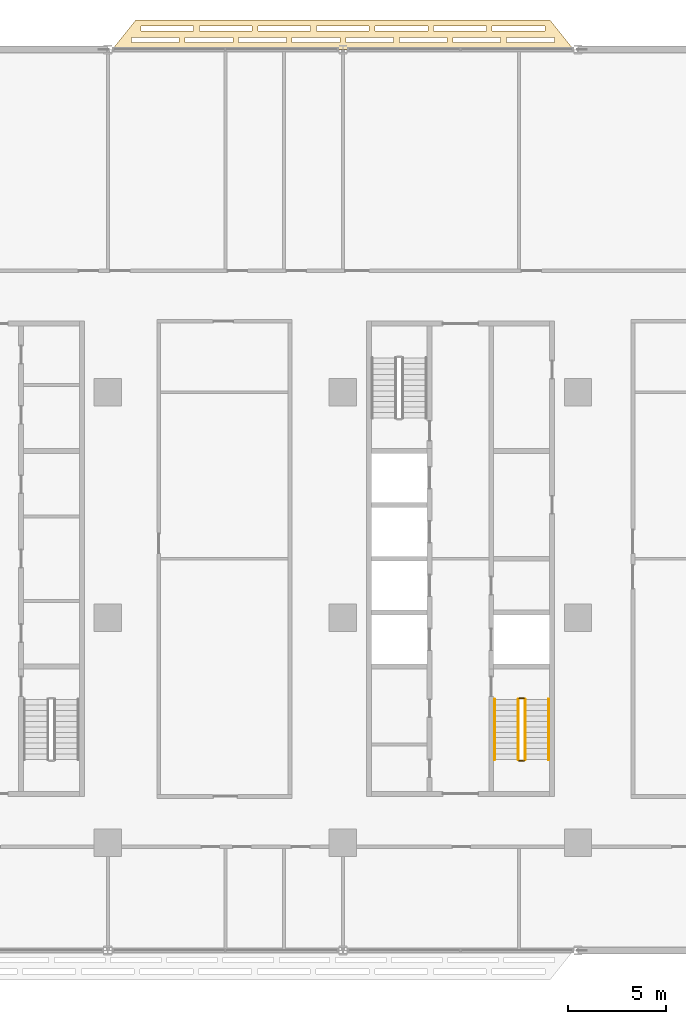
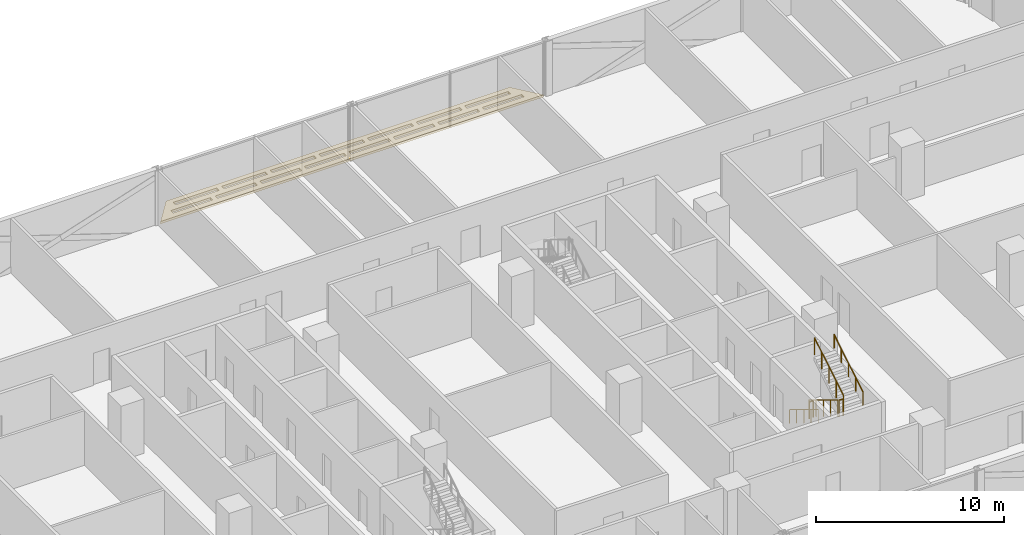
# One storey, part 28 of 29: 6 railings, 1 covering.
"""IFC4 building model written with IfcOpenShell, lengths in metres."""

from ifc_helpers import new_model, si_unit, direction, frame, origin, origin_2d, place, context, subcontext, project, spatial, polyline, circle, outline, extrude, material, layer, layer_set, type_object, element, save


model = new_model("IFC4")

# Units and contexts
model_context = context("Model", 3, precision=1e-05, world=origin(), true_north=direction((0.0, 1.0)))
body_context = subcontext(model_context, "Body", "Model", "MODEL_VIEW")
ifc_project = project(units=[si_unit("LENGTHUNIT", "METRE"), si_unit("AREAUNIT", "SQUARE_METRE"), si_unit("VOLUMEUNIT", "CUBIC_METRE"), si_unit("PLANEANGLEUNIT", "RADIAN"), si_unit("MASSUNIT", "GRAM", prefix="KILO")], contexts=[model_context])

# Site, building, storey
site_placement = place(None, origin())
site = spatial("IfcSite", under=ifc_project, at=site_placement, CompositionType="ELEMENT")
building_placement = place(site_placement, origin())
building = spatial("IfcBuilding", under=site, at=building_placement, Name="Mahtab Terrace Research Tower", CompositionType="ELEMENT")
storey_placement = place(building_placement, frame((0.0, 0.0, 113.5)))
storey = spatial("IfcBuildingStorey", under=building, at=storey_placement, Name="L26", CompositionType="ELEMENT", Elevation=113.5)

# Covering
ifc_material_1 = material(Name="Black anodised aluminium", Category="aluminium")
ifc_layer = layer(ifc_material_1, 0.14990234375)
ifc_layer_set = layer_set([ifc_layer], Name="Horizontal sunshade band")
covering_type = type_object("IfcCoveringType", Name="Horizontal sunshade band", PredefinedType="CLADDING", material=ifc_layer_set)
covering_placement = place(storey_placement, frame((0.0, 0.0, -0.14990234375)))
element("IfcCovering", 1, at=covering_placement, inside=storey, type_object=covering_type, Name="Sunshade band L26 5", PredefinedType="CLADDING", context=body_context, shape_type="SweptSolid", body=[
    extrude(outline(polyline([(29.77197265625, 29.0), (6.22802734375, 29.0), (7.427978515625, 30.5), (28.572021484375, 30.5), (29.77197265625, 29.0)]), holes=[polyline([(28.7919921875, 29.35009765625), (26.35595703125, 29.35009765625), (26.35595703125, 29.60009765625), (28.7919921875, 29.60009765625), (28.7919921875, 29.35009765625)]), polyline([(26.055908203125, 29.35009765625), (23.62109375, 29.35009765625), (23.62109375, 29.60009765625), (26.055908203125, 29.60009765625), (26.055908203125, 29.35009765625)]), polyline([(23.321044921875, 29.35009765625), (20.885009765625, 29.35009765625), (20.885009765625, 29.60009765625), (23.321044921875, 29.60009765625), (23.321044921875, 29.35009765625)]), polyline([(20.5849609375, 29.35009765625), (18.14990234375, 29.35009765625), (18.14990234375, 29.60009765625), (20.5849609375, 29.60009765625), (20.5849609375, 29.35009765625)]), polyline([(17.85009765625, 29.35009765625), (15.4150390625, 29.35009765625), (15.4150390625, 29.60009765625), (17.85009765625, 29.60009765625), (17.85009765625, 29.35009765625)]), polyline([(15.114013671875, 29.35009765625), (12.678955078125, 29.35009765625), (12.678955078125, 29.60009765625), (15.114013671875, 29.60009765625), (15.114013671875, 29.35009765625)]), polyline([(12.37890625, 29.35009765625), (9.944091796875, 29.35009765625), (9.944091796875, 29.60009765625), (12.37890625, 29.60009765625), (12.37890625, 29.35009765625)]), polyline([(9.64404296875, 29.35009765625), (7.2080078125, 29.35009765625), (7.2080078125, 29.60009765625), (9.64404296875, 29.60009765625), (9.64404296875, 29.35009765625)]), polyline([(28.31201171875, 29.949951171875), (25.623046875, 29.949951171875), (25.623046875, 30.199951171875), (28.31201171875, 30.199951171875), (28.31201171875, 29.949951171875)]), polyline([(25.322998046875, 29.949951171875), (22.634033203125, 29.949951171875), (22.634033203125, 30.199951171875), (25.322998046875, 30.199951171875), (25.322998046875, 29.949951171875)]), polyline([(22.333984375, 29.949951171875), (19.64501953125, 29.949951171875), (19.64501953125, 30.199951171875), (22.333984375, 30.199951171875), (22.333984375, 29.949951171875)]), polyline([(19.344970703125, 29.949951171875), (16.655029296875, 29.949951171875), (16.655029296875, 30.199951171875), (19.344970703125, 30.199951171875), (19.344970703125, 29.949951171875)]), polyline([(16.35498046875, 29.949951171875), (13.666015625, 29.949951171875), (13.666015625, 30.199951171875), (16.35498046875, 30.199951171875), (16.35498046875, 29.949951171875)]), polyline([(13.365966796875, 29.949951171875), (10.677001953125, 29.949951171875), (10.677001953125, 30.199951171875), (13.365966796875, 30.199951171875), (13.365966796875, 29.949951171875)]), polyline([(10.376953125, 29.949951171875), (7.68798828125, 29.949951171875), (7.68798828125, 30.199951171875), (10.376953125, 30.199951171875), (10.376953125, 29.949951171875)])]), origin(), (0.0, 0.0, 1.0), 0.14990234375),
])

# Railings
ifc_material_2 = material(Name="Stainless steel AISI 304", Category="steel")
railing_type_1 = type_object("IfcRailingType", Name="Stair guard 1100", PredefinedType="GUARDRAIL", material=ifc_material_2)
railing_1_placement = place(storey_placement, frame((26.949951171875, -4.175048828125, 0.1708984375)))
element("IfcRailing", 2, at=railing_1_placement, inside=storey, type_object=railing_type_1, Name="L26 ST4 stair guard 1", PredefinedType="GUARDRAIL", context=body_context, shape_type="SweptSolid", body=[
    extrude(circle(Radius=0.02392578125, at=origin_2d()), frame((0.0, 0.0, 1.076171875), z_axis=(0.0, -0.853647949592, 0.520850437417), x_axis=(1.0, 0.0, 0.0)), (0.0, 0.0, 1.0), 3.60791015625),
    extrude(circle(Radius=0.02099609375, at=origin_2d()), origin(), (0.0, 0.0, 1.0), 1.052001953125),
    extrude(circle(Radius=0.02099609375, at=origin_2d()), frame((0.0, -0.77001953125, 0.4697265625)), (0.0, 0.0, 1.0), 1.052001953125),
    extrude(circle(Radius=0.02099609375, at=origin_2d()), frame((0.0, -1.5400390625, 0.939453125)), (0.0, 0.0, 1.0), 1.052001953125),
    extrude(circle(Radius=0.02099609375, at=origin_2d()), frame((0.0, -2.309814453125, 1.409423828125)), (0.0, 0.0, 1.0), 1.052001953125),
    extrude(circle(Radius=0.02099609375, at=origin_2d()), frame((0.0, -3.079833984375, 1.879150390625)), (0.0, 0.0, 1.0), 1.052001953125),
])
railing_2_placement = place(storey_placement, frame((27.0, -7.304931640625, 2.050048828125)))
element("IfcRailing", 3, at=railing_2_placement, inside=storey, type_object=railing_type_1, Name="L26 ST4 stair guard 2", PredefinedType="GUARDRAIL", context=body_context, shape_type="SweptSolid", body=[
    extrude(circle(Radius=0.02392578125, at=origin_2d()), frame((0.0, 0.0, 1.076171875), z_axis=(1.0, 0.0, 0.0), x_axis=(0.0, 1.0, 0.0)), (0.0, 0.0, 1.0), 0.25),
    extrude(circle(Radius=0.02099609375, at=origin_2d()), origin(), (0.0, 0.0, 1.0), 1.052001953125),
    extrude(circle(Radius=0.02099609375, at=origin_2d()), frame((0.25, 0.0, 0.0)), (0.0, 0.0, 1.0), 1.052001953125),
])
railing_3_placement = place(storey_placement, frame((27.300048828125, -7.2548828125, 2.220947265625)))
element("IfcRailing", 4, at=railing_3_placement, inside=storey, type_object=railing_type_1, Name="L26 ST4 stair guard 3", PredefinedType="GUARDRAIL", context=body_context, shape_type="SweptSolid", body=[
    extrude(circle(Radius=0.02392578125, at=origin_2d()), frame((0.0, 0.0, 1.076171875), z_axis=(0.0, 0.853647949592, 0.520850437417), x_axis=(-1.0, 0.0, 0.0)), (0.0, 0.0, 1.0), 3.60791015625),
    extrude(circle(Radius=0.02099609375, at=origin_2d()), origin(), (0.0, 0.0, 1.0), 1.052001953125),
    extrude(circle(Radius=0.02099609375, at=origin_2d()), frame((0.0, 0.77001953125, 0.4697265625)), (0.0, 0.0, 1.0), 1.052001953125),
    extrude(circle(Radius=0.02099609375, at=origin_2d()), frame((0.0, 1.5400390625, 0.939453125)), (0.0, 0.0, 1.0), 1.052001953125),
    extrude(circle(Radius=0.02099609375, at=origin_2d()), frame((0.0, 2.309814453125, 1.409423828125)), (0.0, 0.0, 1.0), 1.052001953125),
    extrude(circle(Radius=0.02099609375, at=origin_2d()), frame((0.0, 3.079833984375, 1.879150390625)), (0.0, 0.0, 1.0), 1.052001953125),
])
railing_4_placement = place(storey_placement, frame((27.0, -4.125, 0.0)))
element("IfcRailing", 5, at=railing_4_placement, inside=storey, type_object=railing_type_1, Name="L26 ST4 stair guard 4", PredefinedType="GUARDRAIL", context=body_context, shape_type="SweptSolid", body=[
    extrude(circle(Radius=0.02392578125, at=origin_2d()), frame((0.0, 0.0, 1.076171875), z_axis=(1.0, 0.0, 0.0), x_axis=(0.0, 1.0, 0.0)), (0.0, 0.0, 1.0), 0.25),
    extrude(circle(Radius=0.02099609375, at=origin_2d()), origin(), (0.0, 0.0, 1.0), 1.052001953125),
    extrude(circle(Radius=0.02099609375, at=origin_2d()), frame((0.25, 0.0, 0.0)), (0.0, 0.0, 1.0), 1.052001953125),
])
railing_type_2 = type_object("IfcRailingType", Name="Stair handrail 900", PredefinedType="HANDRAIL", material=ifc_material_2)
railing_5_placement = place(storey_placement, frame((25.75, -4.175048828125, 0.1708984375)))
element("IfcRailing", 6, at=railing_5_placement, inside=storey, type_object=railing_type_2, Name="L26 ST4 stair handrail 1", PredefinedType="HANDRAIL", context=body_context, shape_type="SweptSolid", body=[
    extrude(circle(Radius=0.02392578125, at=origin_2d()), frame((0.0, 0.0, 0.8759765625), z_axis=(0.0, -0.853647949592, 0.520850437417), x_axis=(1.0, 0.0, 0.0)), (0.0, 0.0, 1.0), 3.60791015625),
    extrude(circle(Radius=0.02099609375, at=origin_2d()), origin(), (0.0, 0.0, 1.0), 0.851806640625),
    extrude(circle(Radius=0.02099609375, at=origin_2d()), frame((0.0, -0.77001953125, 0.4697265625)), (0.0, 0.0, 1.0), 0.851806640625),
    extrude(circle(Radius=0.02099609375, at=origin_2d()), frame((0.0, -1.5400390625, 0.939453125)), (0.0, 0.0, 1.0), 0.851806640625),
    extrude(circle(Radius=0.02099609375, at=origin_2d()), frame((0.0, -2.309814453125, 1.409423828125)), (0.0, 0.0, 1.0), 0.851806640625),
    extrude(circle(Radius=0.02099609375, at=origin_2d()), frame((0.0, -3.079833984375, 1.879150390625)), (0.0, 0.0, 1.0), 0.851806640625),
])
railing_6_placement = place(storey_placement, frame((28.5, -7.2548828125, 2.220947265625)))
element("IfcRailing", 7, at=railing_6_placement, inside=storey, type_object=railing_type_2, Name="L26 ST4 stair handrail 2", PredefinedType="HANDRAIL", context=body_context, shape_type="SweptSolid", body=[
    extrude(circle(Radius=0.02392578125, at=origin_2d()), frame((0.0, 0.0, 0.8759765625), z_axis=(0.0, 0.853647949592, 0.520850437417), x_axis=(-1.0, 0.0, 0.0)), (0.0, 0.0, 1.0), 3.60791015625),
    extrude(circle(Radius=0.02099609375, at=origin_2d()), origin(), (0.0, 0.0, 1.0), 0.851806640625),
    extrude(circle(Radius=0.02099609375, at=origin_2d()), frame((0.0, 0.77001953125, 0.4697265625)), (0.0, 0.0, 1.0), 0.851806640625),
    extrude(circle(Radius=0.02099609375, at=origin_2d()), frame((0.0, 1.5400390625, 0.939453125)), (0.0, 0.0, 1.0), 0.851806640625),
    extrude(circle(Radius=0.02099609375, at=origin_2d()), frame((0.0, 2.309814453125, 1.409423828125)), (0.0, 0.0, 1.0), 0.851806640625),
    extrude(circle(Radius=0.02099609375, at=origin_2d()), frame((0.0, 3.079833984375, 1.879150390625)), (0.0, 0.0, 1.0), 0.851806640625),
])

save(model, "model.ifc")
